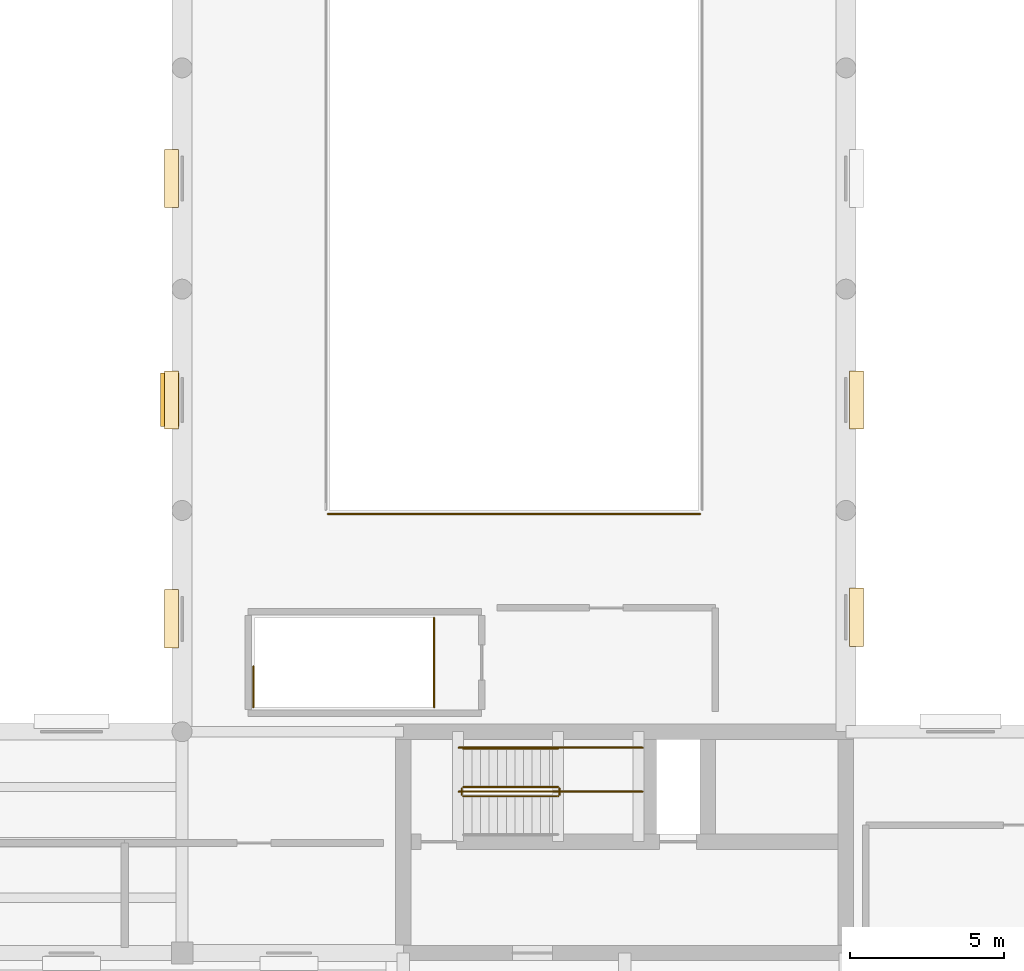
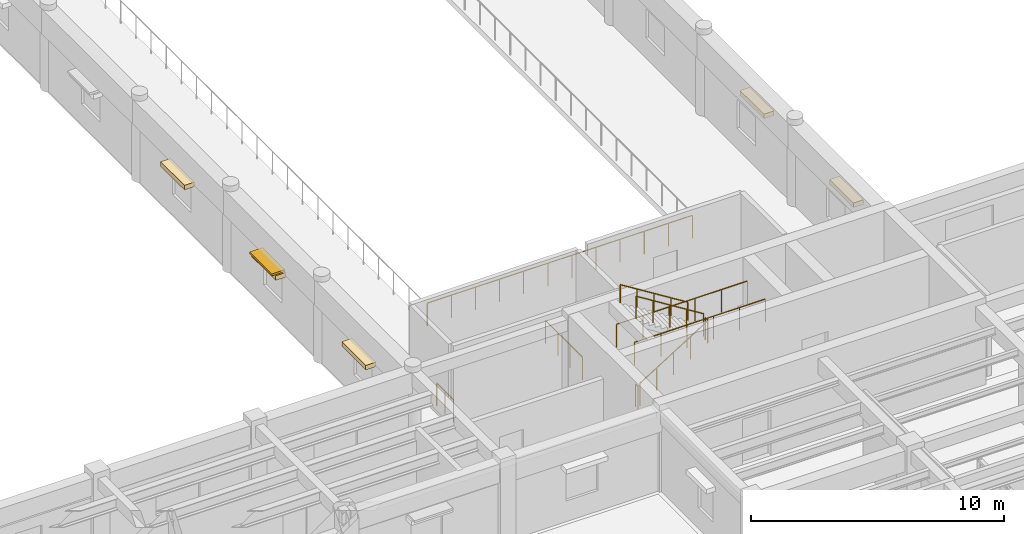
# One storey, part 67 of 76: 10 railings, 5 coverings, 1 shading device.
"""IFC4 building model written with IfcOpenShell, lengths in metres."""

from ifc_helpers import new_model, si_unit, direction, frame, origin, origin_2d, place, context, subcontext, project, spatial, rectangle, circle, extrude, material, layer, layer_set, type_object, element, save


model = new_model("IFC4")

# Units and contexts
model_context = context("Model", 3, precision=1e-05, world=origin(), true_north=direction((0.0, 1.0)))
body_context = subcontext(model_context, "Body", "Model", "MODEL_VIEW")
ifc_project = project(units=[si_unit("LENGTHUNIT", "METRE"), si_unit("AREAUNIT", "SQUARE_METRE"), si_unit("VOLUMEUNIT", "CUBIC_METRE"), si_unit("PLANEANGLEUNIT", "RADIAN"), si_unit("MASSUNIT", "GRAM", prefix="KILO")], contexts=[model_context])

# Site, building, storey
site_placement = place(None, origin())
site = spatial("IfcSite", under=ifc_project, at=site_placement, CompositionType="ELEMENT")
building_placement = place(site_placement, origin())
building = spatial("IfcBuilding", under=site, at=building_placement, Name="Mithqara Police Headquarters", CompositionType="ELEMENT")
storey_placement = place(building_placement, frame((0.0, 0.0, 5.39990234375)))
storey = spatial("IfcBuildingStorey", under=building, at=storey_placement, Name="L01", CompositionType="ELEMENT", Elevation=5.39990234375)

# Railings
ifc_material_1 = material(Name="Bronze anodised aluminium 6063-T6", Category="aluminium")
railing_type_1 = type_object("IfcRailingType", Name="GUARD BALUSTRADE1120", PredefinedType="BALUSTRADE", material=ifc_material_1)
railing_1_placement = place(storey_placement, frame((77.35009765625, 42.47998046875, 0.0)))
element("IfcRailing", 1, at=railing_1_placement, inside=storey, type_object=railing_type_1, Name="L01 Gallery Void Balustrade VOID-L01-HALL-S", PredefinedType="BALUSTRADE", context=body_context, shape_type="SweptSolid", body=[
    extrude(circle(Radius=0.02392578125, at=origin_2d()), frame((0.0, 0.0, 1.09619140625), z_axis=(1.0, 0.0, 0.0), x_axis=(0.0, 1.0, 0.0)), (0.0, 0.0, 1.0), 12.099853515625),
    extrude(circle(Radius=0.02099609375, at=origin_2d()), origin(), (0.0, 0.0, 1.0), 1.072021484375),
    extrude(circle(Radius=0.02099609375, at=origin_2d()), frame((1.10009765625, 0.0, 0.0)), (0.0, 0.0, 1.0), 1.072021484375),
    extrude(circle(Radius=0.02099609375, at=origin_2d()), frame((2.199951171875, 0.0, 0.0)), (0.0, 0.0, 1.0), 1.072021484375),
    extrude(circle(Radius=0.02099609375, at=origin_2d()), frame((3.300048828125, 0.0, 0.0)), (0.0, 0.0, 1.0), 1.072021484375),
    extrude(circle(Radius=0.02099609375, at=origin_2d()), frame((4.39990234375, 0.0, 0.0)), (0.0, 0.0, 1.0), 1.072021484375),
    extrude(circle(Radius=0.02099609375, at=origin_2d()), frame((5.5, 0.0, 0.0)), (0.0, 0.0, 1.0), 1.072021484375),
    extrude(circle(Radius=0.02099609375, at=origin_2d()), frame((6.599853515625, 0.0, 0.0)), (0.0, 0.0, 1.0), 1.072021484375),
    extrude(circle(Radius=0.02099609375, at=origin_2d()), frame((7.699951171875, 0.0, 0.0)), (0.0, 0.0, 1.0), 1.072021484375),
    extrude(circle(Radius=0.02099609375, at=origin_2d()), frame((8.7998046875, 0.0, 0.0)), (0.0, 0.0, 1.0), 1.072021484375),
    extrude(circle(Radius=0.02099609375, at=origin_2d()), frame((9.89990234375, 0.0, 0.0)), (0.0, 0.0, 1.0), 1.072021484375),
    extrude(circle(Radius=0.02099609375, at=origin_2d()), frame((10.999755859375, 0.0, 0.0)), (0.0, 0.0, 1.0), 1.072021484375),
    extrude(circle(Radius=0.02099609375, at=origin_2d()), frame((12.099853515625, 0.0, 0.0)), (0.0, 0.0, 1.0), 1.072021484375),
])
railing_2_placement = place(storey_placement, frame((80.800048828125, 36.199951171875, 0.0)))
element("IfcRailing", 2, at=railing_2_placement, inside=storey, type_object=railing_type_1, Name="L01 Gallery Stair ST-05 Top-Well Guard", PredefinedType="BALUSTRADE", context=body_context, shape_type="SweptSolid", body=[
    extrude(circle(Radius=0.02392578125, at=origin_2d()), frame((0.0, 0.0, 1.09619140625), z_axis=(0.0, 1.0, 0.0), x_axis=(-1.0, 0.0, 0.0)), (0.0, 0.0, 1.0), 2.900146484375),
    extrude(circle(Radius=0.02099609375, at=origin_2d()), origin(), (0.0, 0.0, 1.0), 1.072021484375),
    extrude(circle(Radius=0.02099609375, at=origin_2d()), frame((0.0, 0.966796875, 0.0)), (0.0, 0.0, 1.0), 1.072021484375),
    extrude(circle(Radius=0.02099609375, at=origin_2d()), frame((0.0, 1.933349609375, 0.0)), (0.0, 0.0, 1.0), 1.072021484375),
    extrude(circle(Radius=0.02099609375, at=origin_2d()), frame((0.0, 2.900146484375, 0.0)), (0.0, 0.0, 1.0), 1.072021484375),
])
ifc_material_2 = material(Name="Steel S355JR", Category="steel")
railing_type_2 = type_object("IfcRailingType", Name="HANDRAIL 920", PredefinedType="HANDRAIL", material=ifc_material_2)
railing_3_placement = place(storey_placement, frame((84.830078125, 34.85009765625, 2.275146484375)))
element("IfcRailing", 3, at=railing_3_placement, inside=storey, type_object=railing_type_2, Name="L01 ST-07 stair handrail 2", PredefinedType="HANDRAIL", context=body_context, shape_type="SweptSolid", body=[
    extrude(circle(Radius=0.02392578125, at=origin_2d()), frame((0.0, 0.0, 0.8759765625), z_axis=(-0.847998304005, 0.0, 0.529998940003), x_axis=(0.0, -1.0, 0.0)), (0.0, 0.0, 1.0), 3.632080078125),
    extrude(circle(Radius=0.02099609375, at=origin_2d()), origin(), (0.0, 0.0, 1.0), 0.851806640625),
    extrude(circle(Radius=0.02099609375, at=origin_2d()), frame((-0.77001953125, 0.0, 0.481201171875)), (0.0, 0.0, 1.0), 0.851806640625),
    extrude(circle(Radius=0.02099609375, at=origin_2d()), frame((-1.5400390625, 0.0, 0.96240234375)), (0.0, 0.0, 1.0), 0.851806640625),
    extrude(circle(Radius=0.02099609375, at=origin_2d()), frame((-2.31005859375, 0.0, 1.44384765625)), (0.0, 0.0, 1.0), 0.851806640625),
    extrude(circle(Radius=0.02099609375, at=origin_2d()), frame((-3.080078125, 0.0, 1.925048828125)), (0.0, 0.0, 1.0), 0.851806640625),
])

# Shading device
shading_device_type = type_object("IfcShadingDeviceType", Name="SOLAR LOUVRE BRONZE", PredefinedType="JALOUSIE", material=ifc_material_1)
shading_device_placement = place(storey_placement, frame((72.199951171875, 46.199951171875, 2.590087890625), z_axis=(0.0, 0.0, 1.0), x_axis=(0.0, 1.0, 0.0)))
element("IfcShadingDevice", 4, at=shading_device_placement, inside=storey, type_object=shading_device_type, Name="L01 Window Solar Louvre Hood 4.2", PredefinedType="JALOUSIE", context=body_context, shape_type="SweptSolid", body=[
    extrude(rectangle(XDim=1.75, YDim=0.60009765625, at=origin_2d()), origin(), (0.0, 0.0, 1.0), 0.10009765625),
])

# Railings
railing_type_3 = type_object("IfcRailingType", Name="STAIR GUARD 1120", PredefinedType="GUARDRAIL", material=ifc_material_2)
railing_4_placement = place(storey_placement, frame((81.75, 33.300048828125, 0.175048828125)))
element("IfcRailing", 5, at=railing_4_placement, inside=storey, type_object=railing_type_3, Name="L01 ST-07 stair guard 1", PredefinedType="GUARDRAIL", context=body_context, shape_type="SweptSolid", body=[
    extrude(circle(Radius=0.02392578125, at=origin_2d()), frame((0.0, 0.0, 1.076171875), z_axis=(0.847998304005, 0.0, 0.529998940003), x_axis=(0.0, 1.0, 0.0)), (0.0, 0.0, 1.0), 3.632080078125),
    extrude(circle(Radius=0.02099609375, at=origin_2d()), origin(), (0.0, 0.0, 1.0), 1.052001953125),
    extrude(circle(Radius=0.02099609375, at=origin_2d()), frame((0.77001953125, 0.0, 0.481201171875)), (0.0, 0.0, 1.0), 1.052001953125),
    extrude(circle(Radius=0.02099609375, at=origin_2d()), frame((1.5400390625, 0.0, 0.96240234375)), (0.0, 0.0, 1.0), 1.052001953125),
    extrude(circle(Radius=0.02099609375, at=origin_2d()), frame((2.31005859375, 0.0, 1.44384765625)), (0.0, 0.0, 1.0), 1.052001953125),
    extrude(circle(Radius=0.02099609375, at=origin_2d()), frame((3.080078125, 0.0, 1.925048828125)), (0.0, 0.0, 1.0), 1.052001953125),
])
railing_5_placement = place(storey_placement, frame((84.8798828125, 33.35009765625, 2.10009765625)))
element("IfcRailing", 6, at=railing_5_placement, inside=storey, type_object=railing_type_3, Name="L01 ST-07 stair guard 2", PredefinedType="GUARDRAIL", context=body_context, shape_type="SweptSolid", body=[
    extrude(circle(Radius=0.02392578125, at=origin_2d()), frame((0.0, 0.0, 1.076171875), z_axis=(0.0, 1.0, 0.0), x_axis=(-1.0, 0.0, 0.0)), (0.0, 0.0, 1.0), 0.199951171875),
    extrude(circle(Radius=0.02099609375, at=origin_2d()), origin(), (0.0, 0.0, 1.0), 1.052001953125),
    extrude(circle(Radius=0.02099609375, at=origin_2d()), frame((0.0, 0.199951171875, 0.0)), (0.0, 0.0, 1.0), 1.052001953125),
])
railing_6_placement = place(storey_placement, frame((84.830078125, 33.60009765625, 2.275146484375)))
element("IfcRailing", 7, at=railing_6_placement, inside=storey, type_object=railing_type_3, Name="L01 ST-07 stair guard 3", PredefinedType="GUARDRAIL", context=body_context, shape_type="SweptSolid", body=[
    extrude(circle(Radius=0.02392578125, at=origin_2d()), frame((0.0, 0.0, 1.076171875), z_axis=(-0.847998304005, 0.0, 0.529998940003), x_axis=(0.0, -1.0, 0.0)), (0.0, 0.0, 1.0), 3.632080078125),
    extrude(circle(Radius=0.02099609375, at=origin_2d()), origin(), (0.0, 0.0, 1.0), 1.052001953125),
    extrude(circle(Radius=0.02099609375, at=origin_2d()), frame((-0.77001953125, 0.0, 0.481201171875)), (0.0, 0.0, 1.0), 1.052001953125),
    extrude(circle(Radius=0.02099609375, at=origin_2d()), frame((-1.5400390625, 0.0, 0.96240234375)), (0.0, 0.0, 1.0), 1.052001953125),
    extrude(circle(Radius=0.02099609375, at=origin_2d()), frame((-2.31005859375, 0.0, 1.44384765625)), (0.0, 0.0, 1.0), 1.052001953125),
    extrude(circle(Radius=0.02099609375, at=origin_2d()), frame((-3.080078125, 0.0, 1.925048828125)), (0.0, 0.0, 1.0), 1.052001953125),
])
railing_7_placement = place(storey_placement, frame((81.699951171875, 33.35009765625, 0.0)))
element("IfcRailing", 8, at=railing_7_placement, inside=storey, type_object=railing_type_3, Name="L01 ST-07 stair guard 4", PredefinedType="GUARDRAIL", context=body_context, shape_type="SweptSolid", body=[
    extrude(circle(Radius=0.02392578125, at=origin_2d()), frame((0.0, 0.0, 1.076171875), z_axis=(0.0, 1.0, 0.0), x_axis=(-1.0, 0.0, 0.0)), (0.0, 0.0, 1.0), 0.199951171875),
    extrude(circle(Radius=0.02099609375, at=origin_2d()), origin(), (0.0, 0.0, 1.0), 1.052001953125),
    extrude(circle(Radius=0.02099609375, at=origin_2d()), frame((0.0, 0.199951171875, 0.0)), (0.0, 0.0, 1.0), 1.052001953125),
])
for number, where, name in (
    (9, (81.60009765625, 33.449951171875, 2.10009765625), "L01 ST-07 Half-Landing Guard IN"),
    (10, (81.60009765625, 34.8798828125, 2.10009765625), "L01 ST-07 Half-Landing Guard OUT"),
):
    element("IfcRailing", number, at=place(storey_placement, frame(where)), inside=storey, type_object=railing_type_3, Name=name, PredefinedType="GUARDRAIL", context=body_context, shape_type="SweptSolid", body=[
        extrude(circle(Radius=0.02392578125, at=origin_2d()), frame((0.0, 0.0, 1.09619140625), z_axis=(1.0, 0.0, 0.0), x_axis=(0.0, 1.0, 0.0)), (0.0, 0.0, 1.0), 5.97998046875),
        extrude(circle(Radius=0.02099609375, at=origin_2d()), origin(), (0.0, 0.0, 1.0), 1.072021484375),
        extrude(circle(Radius=0.02099609375, at=origin_2d()), frame((1.196044921875, 0.0, 0.0)), (0.0, 0.0, 1.0), 1.072021484375),
        extrude(circle(Radius=0.02099609375, at=origin_2d()), frame((2.39208984375, 0.0, 0.0)), (0.0, 0.0, 1.0), 1.072021484375),
        extrude(circle(Radius=0.02099609375, at=origin_2d()), frame((3.587890625, 0.0, 0.0)), (0.0, 0.0, 1.0), 1.072021484375),
        extrude(circle(Radius=0.02099609375, at=origin_2d()), frame((4.783935546875, 0.0, 0.0)), (0.0, 0.0, 1.0), 1.072021484375),
        extrude(circle(Radius=0.02099609375, at=origin_2d()), frame((5.97998046875, 0.0, 0.0)), (0.0, 0.0, 1.0), 1.072021484375),
    ])
railing_8_placement = place(storey_placement, frame((74.919921875, 36.199951171875, 0.0)))
element("IfcRailing", 11, at=railing_8_placement, inside=storey, type_object=railing_type_3, Name="L01 ST-05 Top Well Half Guard", PredefinedType="GUARDRAIL", context=body_context, shape_type="SweptSolid", body=[
    extrude(circle(Radius=0.02392578125, at=origin_2d()), frame((0.0, 0.0, 1.09619140625), z_axis=(0.0, 1.0, 0.0), x_axis=(-1.0, 0.0, 0.0)), (0.0, 0.0, 1.0), 1.320068359375),
    extrude(circle(Radius=0.02099609375, at=origin_2d()), origin(), (0.0, 0.0, 1.0), 1.072021484375),
    extrude(circle(Radius=0.02099609375, at=origin_2d()), frame((0.0, 0.66015625, 0.0)), (0.0, 0.0, 1.0), 1.072021484375),
    extrude(circle(Radius=0.02099609375, at=origin_2d()), frame((0.0, 1.320068359375, 0.0)), (0.0, 0.0, 1.0), 1.072021484375),
])

# Coverings
ifc_material_3 = material(Name="Limestone ashlar masonry, 45 MPa", Category="masonry")
ifc_layer = layer(ifc_material_3, 0.239990234375, Name="Limestone ashlar masonry, 45 MPa")
ifc_layer_set = layer_set([ifc_layer], Name="Limestone ashlar masonry, 45 MPa")
covering_type = type_object("IfcCoveringType", Name="WINDOW HOOD LIMESTONE", PredefinedType="CLADDING", material=ifc_layer_set)
for number, where, z_axis, x_axis, name in (
    (12, (72.260009765625, 39.074951171875, 2.3701171875), (0.0, 0.0, 1.0), (0.0, 1.0, 0.0), "L01 Limestone Window Architrave Hood 4.1"),
    (13, (72.260009765625, 46.199951171875, 2.3701171875), (0.0, 0.0, 1.0), (0.0, 1.0, 0.0), "L01 Limestone Window Architrave Hood 4.2"),
    (14, (72.260009765625, 53.39990234375, 2.3701171875), (0.0, 0.0, 1.0), (0.0, 1.0, 0.0), "L01 Limestone Window Architrave Hood 4.3"),
    (15, (94.5400390625, 39.125, 2.3701171875), (0.0, 0.0, 1.0), (0.0, 1.0, 0.0), "L01 Limestone Window Architrave Hood 1.1"),
    (16, (94.5400390625, 46.199951171875, 2.3701171875), (0.0, 0.0, 1.0), (0.0, 1.0, 0.0), "L01 Limestone Window Architrave Hood 1.2"),
):
    element("IfcCovering", number, at=place(storey_placement, frame(where, z_axis=z_axis, x_axis=x_axis)), inside=storey, type_object=covering_type, Name=name, PredefinedType="CLADDING", context=body_context, shape_type="SweptSolid", body=[
        extrude(rectangle(XDim=1.889892578125, YDim=0.4599609375, at=origin_2d()), origin(), (0.0, 0.0, 1.0), 0.219970703125),
    ])

save(model, "model.ifc")
